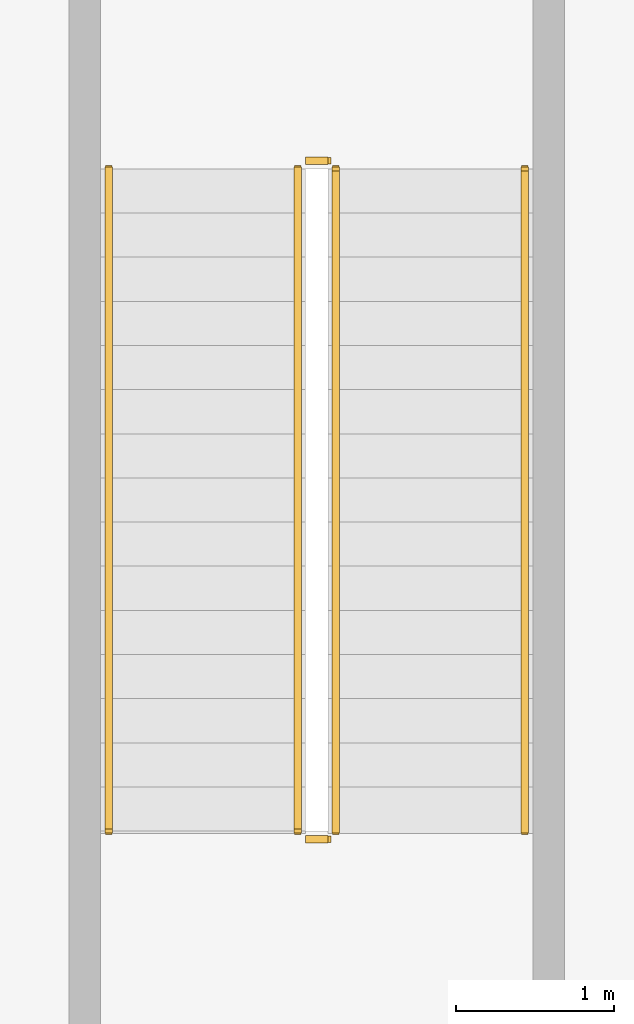
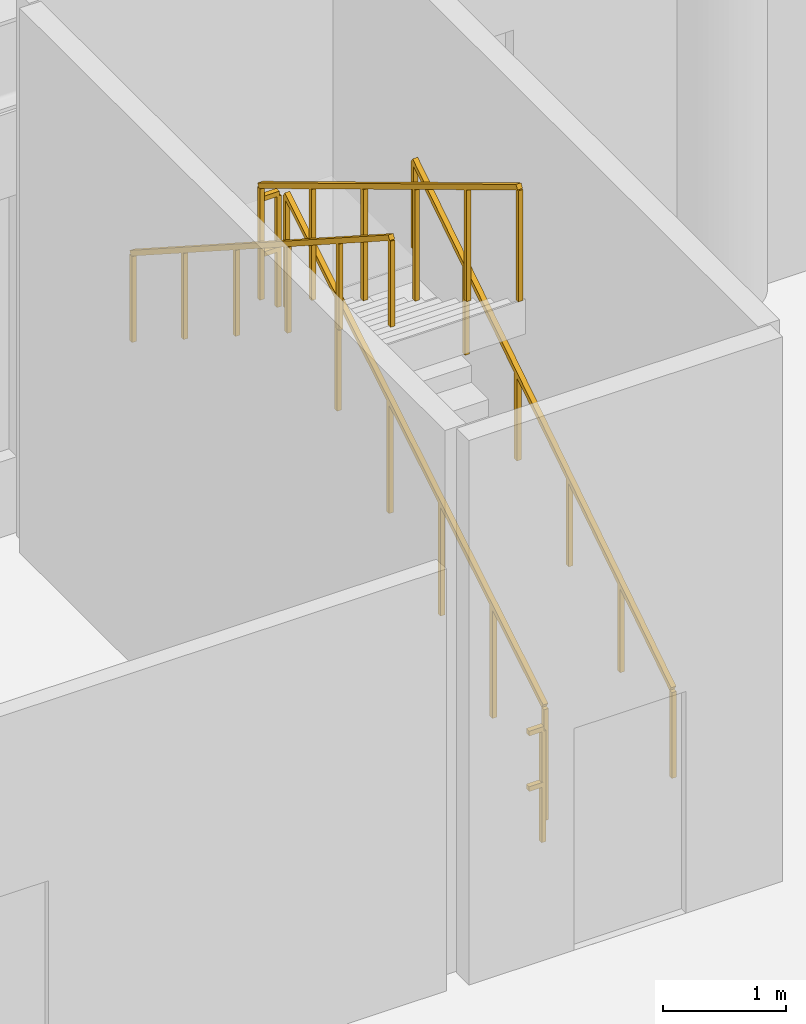
# One storey, part 23 of 23: 6 railings.
"""IFC4 building model written with IfcOpenShell, lengths in metres."""

from ifc_helpers import new_model, si_unit, derived_unit, direction, frame, origin, origin_2d, place, context, subcontext, project, spatial, rectangle, extrude, material, type_object, element, save


model = new_model("IFC4")

# Units and contexts
model_context = context("Model", 3, precision=1e-05, world=origin(), true_north=direction((0.0, 1.0)))
body_context = subcontext(model_context, "Body", "Model", "MODEL_VIEW")
ifc_project = project(units=[si_unit("LENGTHUNIT", "METRE"), si_unit("AREAUNIT", "SQUARE_METRE"), si_unit("VOLUMEUNIT", "CUBIC_METRE"), si_unit("PLANEANGLEUNIT", "RADIAN"), si_unit("MASSUNIT", "GRAM", prefix="KILO"), si_unit("THERMODYNAMICTEMPERATUREUNIT", "KELVIN"), si_unit("POWERUNIT", "WATT"), derived_unit("THERMALTRANSMITTANCEUNIT", [(si_unit("POWERUNIT", "WATT"), 1), (si_unit("AREAUNIT", "SQUARE_METRE"), -1), (si_unit("THERMODYNAMICTEMPERATUREUNIT", "KELVIN"), -1)])], contexts=[model_context])

# Site, building, storey
site_placement = place(None, origin())
site = spatial("IfcSite", under=ifc_project, at=site_placement, CompositionType="ELEMENT")
building_placement = place(site_placement, origin())
building = spatial("IfcBuilding", under=site, at=building_placement, Name="Zahravan Archway Hotel and Residences", CompositionType="ELEMENT")
storey_placement = place(building_placement, frame((0.0, 0.0, 5.39990234375)))
storey = spatial("IfcBuildingStorey", under=building, at=storey_placement, Name="L01", CompositionType="ELEMENT", Elevation=5.39990234375)

# Railings
ifc_material_1 = material(Name="Painted Tubular Steel", Category="steel")
railing_type_1 = type_object("IfcRailingType", Name="RL-STG-1150", PredefinedType="GUARDRAIL", material=ifc_material_1)
railing_1_placement = place(storey_placement, frame((74.14990234375, 40.77001953125, 0.1689453125)))
element("IfcRailing", 1, at=railing_1_placement, inside=storey, type_object=railing_type_1, Name="L01 ST-P1 stair guard 1", PredefinedType="GUARDRAIL", context=body_context, shape_type="SweptSolid", body=[
    extrude(rectangle(XDim=0.048095703125, YDim=0.048095703125, at=origin_2d()), frame((0.0, 0.0, 1.1259765625), z_axis=(0.0, 0.856476492594, 0.516186030065), x_axis=(-1.0, 0.0, 0.0)), (0.0, 0.0, 1.0), 4.90380859375),
    extrude(rectangle(XDim=0.0419921875, YDim=0.0419921875, at=origin_2d()), origin(), (0.0, 0.0, 1.0), 1.101806640625),
    extrude(rectangle(XDim=0.0419921875, YDim=0.0419921875, at=origin_2d()), frame((0.0, 0.840087890625, 0.50634765625)), (0.0, 0.0, 1.0), 1.101806640625),
    extrude(rectangle(XDim=0.0419921875, YDim=0.0419921875, at=origin_2d()), frame((0.0, 1.679931640625, 1.012451171875)), (0.0, 0.0, 1.0), 1.101806640625),
    extrude(rectangle(XDim=0.0419921875, YDim=0.0419921875, at=origin_2d()), frame((0.0, 2.52001953125, 1.518798828125)), (0.0, 0.0, 1.0), 1.101806640625),
    extrude(rectangle(XDim=0.0419921875, YDim=0.0419921875, at=origin_2d()), frame((0.0, 3.35986328125, 2.02490234375)), (0.0, 0.0, 1.0), 1.101806640625),
    extrude(rectangle(XDim=0.0419921875, YDim=0.0419921875, at=origin_2d()), frame((0.0, 4.199951171875, 2.53125)), (0.0, 0.0, 1.0), 1.101806640625),
])
railing_2_placement = place(storey_placement, frame((74.10009765625, 45.02001953125, 2.7001953125)))
element("IfcRailing", 2, at=railing_2_placement, inside=storey, type_object=railing_type_1, Name="L01 ST-P1 stair guard 2", PredefinedType="GUARDRAIL", context=body_context, shape_type="SweptSolid", body=[
    extrude(rectangle(XDim=0.048095703125, YDim=0.048095703125, at=origin_2d()), frame((0.0, 0.0, 1.1259765625), z_axis=(-1.0, 0.0, 0.0), x_axis=(0.0, -1.0, 0.0)), (0.0, 0.0, 1.0), 0.14013671875),
    extrude(rectangle(XDim=0.048095703125, YDim=0.048095703125, at=origin_2d()), frame((0.0, 0.0, 0.574951171875), z_axis=(-1.0, 0.0, 0.0), x_axis=(0.0, -1.0, 0.0)), (0.0, 0.0, 1.0), 0.14013671875),
    extrude(rectangle(XDim=0.0419921875, YDim=0.0419921875, at=origin_2d()), origin(), (0.0, 0.0, 1.0), 1.101806640625),
])
railing_3_placement = place(storey_placement, frame((73.909912109375, 44.969970703125, 2.868896484375)))
element("IfcRailing", 3, at=railing_3_placement, inside=storey, type_object=railing_type_1, Name="L01 ST-P1 stair guard 3", PredefinedType="GUARDRAIL", context=body_context, shape_type="SweptSolid", body=[
    extrude(rectangle(XDim=0.048095703125, YDim=0.048095703125, at=origin_2d()), frame((0.0, 0.0, 1.1259765625), z_axis=(0.0, -0.856476492594, 0.516186030065), x_axis=(1.0, 0.0, 0.0)), (0.0, 0.0, 1.0), 4.90380859375),
    extrude(rectangle(XDim=0.0419921875, YDim=0.0419921875, at=origin_2d()), origin(), (0.0, 0.0, 1.0), 1.101806640625),
    extrude(rectangle(XDim=0.0419921875, YDim=0.0419921875, at=origin_2d()), frame((0.0, -0.840087890625, 0.50634765625)), (0.0, 0.0, 1.0), 1.101806640625),
    extrude(rectangle(XDim=0.0419921875, YDim=0.0419921875, at=origin_2d()), frame((0.0, -1.679931640625, 1.012451171875)), (0.0, 0.0, 1.0), 1.101806640625),
    extrude(rectangle(XDim=0.0419921875, YDim=0.0419921875, at=origin_2d()), frame((0.0, -2.52001953125, 1.518798828125)), (0.0, 0.0, 1.0), 1.101806640625),
    extrude(rectangle(XDim=0.0419921875, YDim=0.0419921875, at=origin_2d()), frame((0.0, -3.35986328125, 2.02490234375)), (0.0, 0.0, 1.0), 1.101806640625),
    extrude(rectangle(XDim=0.0419921875, YDim=0.0419921875, at=origin_2d()), frame((0.0, -4.199951171875, 2.53125)), (0.0, 0.0, 1.0), 1.101806640625),
])
railing_4_placement = place(storey_placement, frame((74.10009765625, 40.719970703125, 0.0)))
element("IfcRailing", 4, at=railing_4_placement, inside=storey, type_object=railing_type_1, Name="L01 ST-P1 stair guard 4", PredefinedType="GUARDRAIL", context=body_context, shape_type="SweptSolid", body=[
    extrude(rectangle(XDim=0.048095703125, YDim=0.048095703125, at=origin_2d()), frame((0.0, 0.0, 1.1259765625), z_axis=(-1.0, 0.0, 0.0), x_axis=(0.0, -1.0, 0.0)), (0.0, 0.0, 1.0), 0.14013671875),
    extrude(rectangle(XDim=0.048095703125, YDim=0.048095703125, at=origin_2d()), frame((0.0, 0.0, 0.574951171875), z_axis=(-1.0, 0.0, 0.0), x_axis=(0.0, -1.0, 0.0)), (0.0, 0.0, 1.0), 0.14013671875),
    extrude(rectangle(XDim=0.0419921875, YDim=0.0419921875, at=origin_2d()), origin(), (0.0, 0.0, 1.0), 1.101806640625),
])
ifc_material_2 = material(Name="Brushed Stainless Steel", Category="steel")
railing_type_2 = type_object("IfcRailingType", Name="RL-STH-900", PredefinedType="HANDRAIL", material=ifc_material_2)
railing_5_placement = place(storey_placement, frame((75.35009765625, 40.77001953125, 0.1689453125)))
element("IfcRailing", 5, at=railing_5_placement, inside=storey, type_object=railing_type_2, Name="L01 ST-P1 stair handrail 1", PredefinedType="HANDRAIL", context=body_context, shape_type="SweptSolid", body=[
    extrude(rectangle(XDim=0.048095703125, YDim=0.048095703125, at=origin_2d()), frame((0.0, 0.0, 0.8759765625), z_axis=(0.0, 0.841180064094, 0.540755119968), x_axis=(-1.0, 0.0, 0.0)), (0.0, 0.0, 1.0), 4.992919921875),
    extrude(rectangle(XDim=0.0419921875, YDim=0.0419921875, at=origin_2d()), origin(), (0.0, 0.0, 1.0), 0.851806640625),
    extrude(rectangle(XDim=0.0419921875, YDim=0.0419921875, at=origin_2d()), frame((0.0, 0.840087890625, 0.5400390625)), (0.0, 0.0, 1.0), 0.851806640625),
    extrude(rectangle(XDim=0.0419921875, YDim=0.0419921875, at=origin_2d()), frame((0.0, 1.679931640625, 1.080078125)), (0.0, 0.0, 1.0), 0.851806640625),
    extrude(rectangle(XDim=0.0419921875, YDim=0.0419921875, at=origin_2d()), frame((0.0, 2.52001953125, 1.619873046875)), (0.0, 0.0, 1.0), 0.851806640625),
    extrude(rectangle(XDim=0.0419921875, YDim=0.0419921875, at=origin_2d()), frame((0.0, 3.35986328125, 2.159912109375)), (0.0, 0.0, 1.0), 0.851806640625),
    extrude(rectangle(XDim=0.0419921875, YDim=0.0419921875, at=origin_2d()), frame((0.0, 4.199951171875, 2.699951171875)), (0.0, 0.0, 1.0), 0.851806640625),
])
railing_6_placement = place(storey_placement, frame((72.7099609375, 44.969970703125, 2.868896484375)))
element("IfcRailing", 6, at=railing_6_placement, inside=storey, type_object=railing_type_2, Name="L01 ST-P1 stair handrail 2", PredefinedType="HANDRAIL", context=body_context, shape_type="SweptSolid", body=[
    extrude(rectangle(XDim=0.048095703125, YDim=0.048095703125, at=origin_2d()), frame((0.0, 0.0, 0.8759765625), z_axis=(0.0, -0.841180064094, 0.540755119968), x_axis=(1.0, 0.0, 0.0)), (0.0, 0.0, 1.0), 4.992919921875),
    extrude(rectangle(XDim=0.0419921875, YDim=0.0419921875, at=origin_2d()), origin(), (0.0, 0.0, 1.0), 0.851806640625),
    extrude(rectangle(XDim=0.0419921875, YDim=0.0419921875, at=origin_2d()), frame((0.0, -0.840087890625, 0.5400390625)), (0.0, 0.0, 1.0), 0.851806640625),
    extrude(rectangle(XDim=0.0419921875, YDim=0.0419921875, at=origin_2d()), frame((0.0, -1.679931640625, 1.080078125)), (0.0, 0.0, 1.0), 0.851806640625),
    extrude(rectangle(XDim=0.0419921875, YDim=0.0419921875, at=origin_2d()), frame((0.0, -2.52001953125, 1.619873046875)), (0.0, 0.0, 1.0), 0.851806640625),
    extrude(rectangle(XDim=0.0419921875, YDim=0.0419921875, at=origin_2d()), frame((0.0, -3.35986328125, 2.159912109375)), (0.0, 0.0, 1.0), 0.851806640625),
    extrude(rectangle(XDim=0.0419921875, YDim=0.0419921875, at=origin_2d()), frame((0.0, -4.199951171875, 2.699951171875)), (0.0, 0.0, 1.0), 0.851806640625),
])

save(model, "model.ifc")
